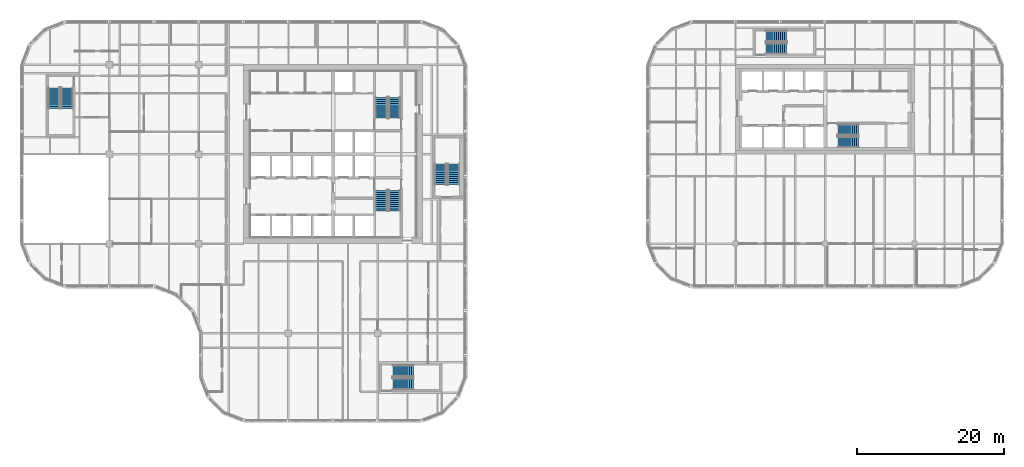
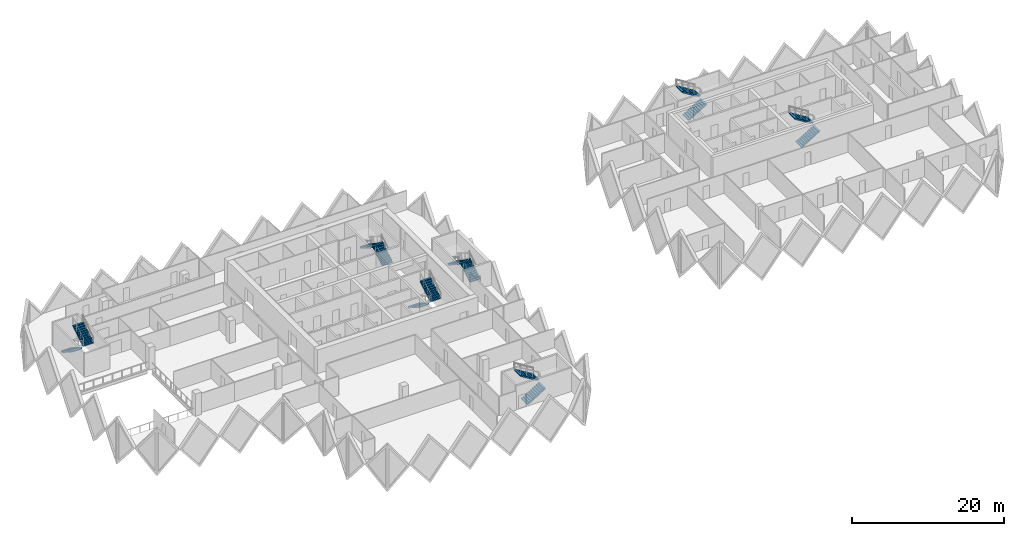
# One storey, part 17 of 19: 14 stair flights, 7 elements without a shape of their own.
"""IFC4 building model written with IfcOpenShell, lengths in metres."""

from ifc_helpers import new_model, si_unit, direction, frame, origin, place, context, subcontext, project, spatial, polyline, outline, extrude, material, type_object, element, aggregate, save


model = new_model("IFC4")

# Units and contexts
model_context = context("Model", 3, precision=1e-05, world=origin(), true_north=direction((0.0, 1.0)))
body_context = subcontext(model_context, "Body", "Model", "MODEL_VIEW")
ifc_project = project(units=[si_unit("LENGTHUNIT", "METRE"), si_unit("AREAUNIT", "SQUARE_METRE"), si_unit("VOLUMEUNIT", "CUBIC_METRE"), si_unit("PLANEANGLEUNIT", "RADIAN"), si_unit("MASSUNIT", "GRAM", prefix="KILO")], contexts=[model_context])

# Site, building, storey
site_placement = place(None, origin())
site = spatial("IfcSite", under=ifc_project, at=site_placement, CompositionType="ELEMENT")
building_placement = place(site_placement, origin())
building = spatial("IfcBuilding", under=site, at=building_placement, Name="Tessera Gate Towers", CompositionType="ELEMENT")
storey_placement = place(building_placement, frame((0.0, 0.0, 87.60009765625)))
storey = spatial("IfcBuildingStorey", under=building, at=storey_placement, Name="L21", CompositionType="ELEMENT", Elevation=87.60009765625)

# Stair, stair flights
ifc_material_1 = material(Name="Concrete C40/50", Category="concrete")
stair_type_1 = type_object("IfcStairType", Name="EXIT STAIR ST1 1600", PredefinedType="HALF_TURN_STAIR", material=ifc_material_1)
stair_1_placement = place(storey_placement, origin())
stair_1 = element("IfcStair", 1, at=stair_1_placement, inside=storey, type_object=stair_type_1, Name="L21 Protected Exit Stair ST1", PredefinedType="HALF_TURN_STAIR")
ifc_material_2 = material(Name="Concrete C40/50", Category="concrete")
stair_flight_type_1 = type_object("IfcStairFlightType", Name="EXIT STAIR FLIGHT ST1 1600", PredefinedType="STRAIGHT", material=ifc_material_2)
stair_flight_1_placement = place(storey_placement, frame((49.27490234375, 31.675048828125, 0.0), z_axis=(0.0, 0.0, 1.0), x_axis=(0.0, -1.0, 0.0)))
stair_flight_1 = element("IfcStairFlight", 2, at=stair_flight_1_placement, type_object=stair_flight_type_1, Name="ST1 flight 1", NumberOfRisers=11, NumberOfTreads=10, PredefinedType="STRAIGHT", RiserHeight=0.172727273, TreadLength=0.28, context=body_context, shape_type="SweptSolid", body=[
    extrude(outline(polyline([(0.0, 0.0), (0.0, 0.172607421875), (0.280029296875, 0.172607421875), (0.280029296875, 0.345458984375), (0.56005859375, 0.345458984375), (0.56005859375, 0.51806640625), (0.840087890625, 0.51806640625), (0.840087890625, 0.69091796875), (1.1201171875, 0.69091796875), (1.1201171875, 0.863525390625), (1.39990234375, 0.863525390625), (1.39990234375, 1.036376953125), (1.679931640625, 1.036376953125), (1.679931640625, 1.208984375), (1.9599609375, 1.208984375), (1.9599609375, 1.3818359375), (2.239990234375, 1.3818359375), (2.239990234375, 1.554443359375), (2.52001953125, 1.554443359375), (2.52001953125, 1.727294921875), (2.800048828125, 1.727294921875), (2.800048828125, 1.89990234375), (2.800048828125, 1.551025390625), (0.285400390625, 0.0), (0.0, 0.0)])), frame((0.0, 0.800048828125, 0.0), z_axis=(0.0, -1.0, 0.0), x_axis=(1.0, 0.0, 0.0)), (0.0, 0.0, 1.0), 1.60009765625),
])
stair_flight_2_placement = place(storey_placement, frame((51.074951171875, 28.875, 1.89990234375), z_axis=(0.0, 0.0, 1.0), x_axis=(0.0, 1.0, 0.0)))
stair_flight_2 = element("IfcStairFlight", 3, at=stair_flight_2_placement, type_object=stair_flight_type_1, Name="ST1 flight 2", NumberOfRisers=11, NumberOfTreads=10, PredefinedType="STRAIGHT", RiserHeight=0.172727273, TreadLength=0.28, context=body_context, shape_type="SweptSolid", body=[
    extrude(outline(polyline([(0.0, 0.0), (0.0, 0.172607421875), (0.280029296875, 0.172607421875), (0.280029296875, 0.345458984375), (0.56005859375, 0.345458984375), (0.56005859375, 0.51806640625), (0.840087890625, 0.51806640625), (0.840087890625, 0.69091796875), (1.1201171875, 0.69091796875), (1.1201171875, 0.863525390625), (1.39990234375, 0.863525390625), (1.39990234375, 1.036376953125), (1.679931640625, 1.036376953125), (1.679931640625, 1.208984375), (1.9599609375, 1.208984375), (1.9599609375, 1.3818359375), (2.239990234375, 1.3818359375), (2.239990234375, 1.554443359375), (2.52001953125, 1.554443359375), (2.52001953125, 1.727294921875), (2.800048828125, 1.727294921875), (2.800048828125, 1.89990234375), (2.800048828125, 1.551025390625), (0.285400390625, 0.0), (0.0, 0.0)])), frame((0.0, 0.800048828125, 0.0), z_axis=(0.0, -1.0, 0.0), x_axis=(1.0, 0.0, 0.0)), (0.0, 0.0, 1.0), 1.60009765625),
])
aggregate(stair_1, [stair_flight_1, stair_flight_2])

ifc_material_3 = material(Name="Concrete C40/50", Category="concrete")
stair_type_2 = type_object("IfcStairType", Name="EXIT STAIR ST2 1600", PredefinedType="HALF_TURN_STAIR", material=ifc_material_3)
stair_2_placement = place(storey_placement, origin())
stair_2 = element("IfcStair", 4, at=stair_2_placement, inside=storey, type_object=stair_type_2, Name="L21 Protected Exit Stair ST2", PredefinedType="HALF_TURN_STAIR")
ifc_material_4 = material(Name="Concrete C40/50", Category="concrete")
stair_flight_type_2 = type_object("IfcStairFlightType", Name="EXIT STAIR FLIGHT ST2 1600", PredefinedType="STRAIGHT", material=ifc_material_4)
stair_flight_3_placement = place(storey_placement, frame((51.074951171875, 41.52490234375, 0.0), z_axis=(0.0, 0.0, 1.0), x_axis=(0.0, 1.0, 0.0)))
stair_flight_3 = element("IfcStairFlight", 5, at=stair_flight_3_placement, type_object=stair_flight_type_2, Name="ST2 flight 1", NumberOfRisers=11, NumberOfTreads=10, PredefinedType="STRAIGHT", RiserHeight=0.172727273, TreadLength=0.28, context=body_context, shape_type="SweptSolid", body=[
    extrude(outline(polyline([(0.0, 0.0), (0.0, 0.172607421875), (0.280029296875, 0.172607421875), (0.280029296875, 0.345458984375), (0.56005859375, 0.345458984375), (0.56005859375, 0.51806640625), (0.840087890625, 0.51806640625), (0.840087890625, 0.69091796875), (1.1201171875, 0.69091796875), (1.1201171875, 0.863525390625), (1.39990234375, 0.863525390625), (1.39990234375, 1.036376953125), (1.679931640625, 1.036376953125), (1.679931640625, 1.208984375), (1.9599609375, 1.208984375), (1.9599609375, 1.3818359375), (2.239990234375, 1.3818359375), (2.239990234375, 1.554443359375), (2.52001953125, 1.554443359375), (2.52001953125, 1.727294921875), (2.800048828125, 1.727294921875), (2.800048828125, 1.89990234375), (2.800048828125, 1.551025390625), (0.285400390625, 0.0), (0.0, 0.0)])), frame((0.0, 0.800048828125, 0.0), z_axis=(0.0, -1.0, 0.0), x_axis=(1.0, 0.0, 0.0)), (0.0, 0.0, 1.0), 1.60009765625),
])
stair_flight_4_placement = place(storey_placement, frame((49.27490234375, 44.324951171875, 1.89990234375), z_axis=(0.0, 0.0, 1.0), x_axis=(0.0, -1.0, 0.0)))
stair_flight_4 = element("IfcStairFlight", 6, at=stair_flight_4_placement, type_object=stair_flight_type_2, Name="ST2 flight 2", NumberOfRisers=11, NumberOfTreads=10, PredefinedType="STRAIGHT", RiserHeight=0.172727273, TreadLength=0.28, context=body_context, shape_type="SweptSolid", body=[
    extrude(outline(polyline([(0.0, 0.0), (0.0, 0.172607421875), (0.280029296875, 0.172607421875), (0.280029296875, 0.345458984375), (0.56005859375, 0.345458984375), (0.56005859375, 0.51806640625), (0.840087890625, 0.51806640625), (0.840087890625, 0.69091796875), (1.1201171875, 0.69091796875), (1.1201171875, 0.863525390625), (1.39990234375, 0.863525390625), (1.39990234375, 1.036376953125), (1.679931640625, 1.036376953125), (1.679931640625, 1.208984375), (1.9599609375, 1.208984375), (1.9599609375, 1.3818359375), (2.239990234375, 1.3818359375), (2.239990234375, 1.554443359375), (2.52001953125, 1.554443359375), (2.52001953125, 1.727294921875), (2.800048828125, 1.727294921875), (2.800048828125, 1.89990234375), (2.800048828125, 1.551025390625), (0.285400390625, 0.0), (0.0, 0.0)])), frame((0.0, 0.800048828125, 0.0), z_axis=(0.0, -1.0, 0.0), x_axis=(1.0, 0.0, 0.0)), (0.0, 0.0, 1.0), 1.60009765625),
])
aggregate(stair_2, [stair_flight_3, stair_flight_4])

ifc_material_5 = material(Name="Concrete C40/50", Category="concrete")
stair_type_3 = type_object("IfcStairType", Name="EXIT STAIR ST3 1600", PredefinedType="HALF_TURN_STAIR", material=ifc_material_5)
stair_3_placement = place(storey_placement, origin())
stair_3 = element("IfcStair", 7, at=stair_3_placement, inside=storey, type_object=stair_type_3, Name="L21 West Exit Stair ST3", PredefinedType="HALF_TURN_STAIR")
ifc_material_6 = material(Name="Concrete C40/50", Category="concrete")
stair_flight_type_3 = type_object("IfcStairFlightType", Name="EXIT STAIR FLIGHT ST3 1600", PredefinedType="STRAIGHT", material=ifc_material_6)
stair_flight_5_placement = place(storey_placement, frame((4.64990234375, 45.64990234375, 0.0), z_axis=(0.0, 0.0, 1.0), x_axis=(0.0, -1.0, 0.0)))
stair_flight_5 = element("IfcStairFlight", 8, at=stair_flight_5_placement, type_object=stair_flight_type_3, Name="ST3 flight 1", NumberOfRisers=11, NumberOfTreads=10, PredefinedType="STRAIGHT", RiserHeight=0.172727273, TreadLength=0.28, context=body_context, shape_type="SweptSolid", body=[
    extrude(outline(polyline([(0.0, 0.0), (0.0, 0.172607421875), (0.280029296875, 0.172607421875), (0.280029296875, 0.345458984375), (0.56005859375, 0.345458984375), (0.56005859375, 0.51806640625), (0.840087890625, 0.51806640625), (0.840087890625, 0.69091796875), (1.1201171875, 0.69091796875), (1.1201171875, 0.863525390625), (1.39990234375, 0.863525390625), (1.39990234375, 1.036376953125), (1.679931640625, 1.036376953125), (1.679931640625, 1.208984375), (1.9599609375, 1.208984375), (1.9599609375, 1.3818359375), (2.239990234375, 1.3818359375), (2.239990234375, 1.554443359375), (2.52001953125, 1.554443359375), (2.52001953125, 1.727294921875), (2.800048828125, 1.727294921875), (2.800048828125, 1.89990234375), (2.800048828125, 1.551025390625), (0.285400390625, 0.0), (0.0, 0.0)])), frame((0.0, 0.800048828125, 0.0), z_axis=(0.0, -1.0, 0.0), x_axis=(1.0, 0.0, 0.0)), (0.0, 0.0, 1.0), 1.60009765625),
])
stair_flight_6_placement = place(storey_placement, frame((6.449951171875, 42.85009765625, 1.89990234375), z_axis=(0.0, 0.0, 1.0), x_axis=(0.0, 1.0, 0.0)))
stair_flight_6 = element("IfcStairFlight", 9, at=stair_flight_6_placement, type_object=stair_flight_type_3, Name="ST3 flight 2", NumberOfRisers=11, NumberOfTreads=10, PredefinedType="STRAIGHT", RiserHeight=0.172727273, TreadLength=0.28, context=body_context, shape_type="SweptSolid", body=[
    extrude(outline(polyline([(0.0, 0.0), (0.0, 0.172607421875), (0.280029296875, 0.172607421875), (0.280029296875, 0.345458984375), (0.56005859375, 0.345458984375), (0.56005859375, 0.51806640625), (0.840087890625, 0.51806640625), (0.840087890625, 0.69091796875), (1.1201171875, 0.69091796875), (1.1201171875, 0.863525390625), (1.39990234375, 0.863525390625), (1.39990234375, 1.036376953125), (1.679931640625, 1.036376953125), (1.679931640625, 1.208984375), (1.9599609375, 1.208984375), (1.9599609375, 1.3818359375), (2.239990234375, 1.3818359375), (2.239990234375, 1.554443359375), (2.52001953125, 1.554443359375), (2.52001953125, 1.727294921875), (2.800048828125, 1.727294921875), (2.800048828125, 1.89990234375), (2.800048828125, 1.551025390625), (0.285400390625, 0.0), (0.0, 0.0)])), frame((0.0, 0.800048828125, 0.0), z_axis=(0.0, -1.0, 0.0), x_axis=(1.0, 0.0, 0.0)), (0.0, 0.0, 1.0), 1.60009765625),
])
aggregate(stair_3, [stair_flight_5, stair_flight_6])

ifc_material_7 = material(Name="Concrete C40/50", Category="concrete")
stair_type_4 = type_object("IfcStairType", Name="EXIT STAIR ST4 1600", PredefinedType="HALF_TURN_STAIR", material=ifc_material_7)
stair_4_placement = place(storey_placement, origin())
stair_4 = element("IfcStair", 10, at=stair_4_placement, inside=storey, type_object=stair_type_4, Name="L21 South Exit Stair ST4", PredefinedType="HALF_TURN_STAIR")
ifc_material_8 = material(Name="Concrete C40/50", Category="concrete")
stair_flight_type_4 = type_object("IfcStairFlightType", Name="EXIT STAIR FLIGHT ST4 1600", PredefinedType="STRAIGHT", material=ifc_material_8)
stair_flight_7_placement = place(storey_placement, frame((50.85009765625, 5.25, 0.0), z_axis=(0.0, 0.0, 1.0), x_axis=(1.0, 0.0, 0.0)))
stair_flight_7 = element("IfcStairFlight", 11, at=stair_flight_7_placement, type_object=stair_flight_type_4, Name="ST4 flight 1", NumberOfRisers=11, NumberOfTreads=10, PredefinedType="STRAIGHT", RiserHeight=0.172727273, TreadLength=0.28, context=body_context, shape_type="SweptSolid", body=[
    extrude(outline(polyline([(0.0, 0.0), (0.0, 0.172607421875), (0.280029296875, 0.172607421875), (0.280029296875, 0.345458984375), (0.56005859375, 0.345458984375), (0.56005859375, 0.51806640625), (0.840087890625, 0.51806640625), (0.840087890625, 0.69091796875), (1.1201171875, 0.69091796875), (1.1201171875, 0.863525390625), (1.39990234375, 0.863525390625), (1.39990234375, 1.036376953125), (1.679931640625, 1.036376953125), (1.679931640625, 1.208984375), (1.9599609375, 1.208984375), (1.9599609375, 1.3818359375), (2.239990234375, 1.3818359375), (2.239990234375, 1.554443359375), (2.52001953125, 1.554443359375), (2.52001953125, 1.727294921875), (2.800048828125, 1.727294921875), (2.800048828125, 1.89990234375), (2.800048828125, 1.551025390625), (0.285400390625, 0.0), (0.0, 0.0)])), frame((0.0, 0.800048828125, 0.0), z_axis=(0.0, -1.0, 0.0), x_axis=(1.0, 0.0, 0.0)), (0.0, 0.0, 1.0), 1.60009765625),
])
stair_flight_8_placement = place(storey_placement, frame((53.64990234375, 7.050048828125, 1.89990234375), z_axis=(0.0, 0.0, 1.0), x_axis=(-1.0, 0.0, 0.0)))
stair_flight_8 = element("IfcStairFlight", 12, at=stair_flight_8_placement, type_object=stair_flight_type_4, Name="ST4 flight 2", NumberOfRisers=11, NumberOfTreads=10, PredefinedType="STRAIGHT", RiserHeight=0.172727273, TreadLength=0.28, context=body_context, shape_type="SweptSolid", body=[
    extrude(outline(polyline([(0.0, 0.0), (0.0, 0.172607421875), (0.280029296875, 0.172607421875), (0.280029296875, 0.345458984375), (0.56005859375, 0.345458984375), (0.56005859375, 0.51806640625), (0.840087890625, 0.51806640625), (0.840087890625, 0.69091796875), (1.1201171875, 0.69091796875), (1.1201171875, 0.863525390625), (1.39990234375, 0.863525390625), (1.39990234375, 1.036376953125), (1.679931640625, 1.036376953125), (1.679931640625, 1.208984375), (1.9599609375, 1.208984375), (1.9599609375, 1.3818359375), (2.239990234375, 1.3818359375), (2.239990234375, 1.554443359375), (2.52001953125, 1.554443359375), (2.52001953125, 1.727294921875), (2.800048828125, 1.727294921875), (2.800048828125, 1.89990234375), (2.800048828125, 1.551025390625), (0.285400390625, 0.0), (0.0, 0.0)])), frame((0.0, 0.800048828125, 0.0), z_axis=(0.0, -1.0, 0.0), x_axis=(1.0, 0.0, 0.0)), (0.0, 0.0, 1.0), 1.60009765625),
])
aggregate(stair_4, [stair_flight_7, stair_flight_8])

ifc_material_9 = material(Name="Concrete C40/50", Category="concrete")
stair_type_5 = type_object("IfcStairType", Name="EXIT STAIR ST5 1600", PredefinedType="HALF_TURN_STAIR", material=ifc_material_9)
stair_5_placement = place(storey_placement, origin())
stair_5 = element("IfcStair", 13, at=stair_5_placement, inside=storey, type_object=stair_type_5, Name="L21 East Exit Stair ST5", PredefinedType="HALF_TURN_STAIR")
ifc_material_10 = material(Name="Concrete C40/50", Category="concrete")
stair_flight_type_5 = type_object("IfcStairFlightType", Name="EXIT STAIR FLIGHT ST5 1600", PredefinedType="STRAIGHT", material=ifc_material_10)
stair_flight_9_placement = place(storey_placement, frame((59.14990234375, 32.449951171875, 0.0), z_axis=(0.0, 0.0, 1.0), x_axis=(0.0, 1.0, 0.0)))
stair_flight_9 = element("IfcStairFlight", 14, at=stair_flight_9_placement, type_object=stair_flight_type_5, Name="ST5 flight 1", NumberOfRisers=11, NumberOfTreads=10, PredefinedType="STRAIGHT", RiserHeight=0.172727273, TreadLength=0.28, context=body_context, shape_type="SweptSolid", body=[
    extrude(outline(polyline([(0.0, 0.0), (0.0, 0.172607421875), (0.280029296875, 0.172607421875), (0.280029296875, 0.345458984375), (0.56005859375, 0.345458984375), (0.56005859375, 0.51806640625), (0.840087890625, 0.51806640625), (0.840087890625, 0.69091796875), (1.1201171875, 0.69091796875), (1.1201171875, 0.863525390625), (1.39990234375, 0.863525390625), (1.39990234375, 1.036376953125), (1.679931640625, 1.036376953125), (1.679931640625, 1.208984375), (1.9599609375, 1.208984375), (1.9599609375, 1.3818359375), (2.239990234375, 1.3818359375), (2.239990234375, 1.554443359375), (2.52001953125, 1.554443359375), (2.52001953125, 1.727294921875), (2.800048828125, 1.727294921875), (2.800048828125, 1.89990234375), (2.800048828125, 1.551025390625), (0.285400390625, 0.0), (0.0, 0.0)])), frame((0.0, 0.800048828125, 0.0), z_axis=(0.0, -1.0, 0.0), x_axis=(1.0, 0.0, 0.0)), (0.0, 0.0, 1.0), 1.60009765625),
])
stair_flight_10_placement = place(storey_placement, frame((57.35009765625, 35.25, 1.89990234375), z_axis=(0.0, 0.0, 1.0), x_axis=(0.0, -1.0, 0.0)))
stair_flight_10 = element("IfcStairFlight", 15, at=stair_flight_10_placement, type_object=stair_flight_type_5, Name="ST5 flight 2", NumberOfRisers=11, NumberOfTreads=10, PredefinedType="STRAIGHT", RiserHeight=0.172727273, TreadLength=0.28, context=body_context, shape_type="SweptSolid", body=[
    extrude(outline(polyline([(0.0, 0.0), (0.0, 0.172607421875), (0.280029296875, 0.172607421875), (0.280029296875, 0.345458984375), (0.56005859375, 0.345458984375), (0.56005859375, 0.51806640625), (0.840087890625, 0.51806640625), (0.840087890625, 0.69091796875), (1.1201171875, 0.69091796875), (1.1201171875, 0.863525390625), (1.39990234375, 0.863525390625), (1.39990234375, 1.036376953125), (1.679931640625, 1.036376953125), (1.679931640625, 1.208984375), (1.9599609375, 1.208984375), (1.9599609375, 1.3818359375), (2.239990234375, 1.3818359375), (2.239990234375, 1.554443359375), (2.52001953125, 1.554443359375), (2.52001953125, 1.727294921875), (2.800048828125, 1.727294921875), (2.800048828125, 1.89990234375), (2.800048828125, 1.551025390625), (0.285400390625, 0.0), (0.0, 0.0)])), frame((0.0, 0.800048828125, 0.0), z_axis=(0.0, -1.0, 0.0), x_axis=(1.0, 0.0, 0.0)), (0.0, 0.0, 1.0), 1.60009765625),
])
aggregate(stair_5, [stair_flight_9, stair_flight_10])

ifc_material_11 = material(Name="Concrete C40/50", Category="concrete")
stair_type_6 = type_object("IfcStairType", Name="EXIT STAIR ST6 1500", PredefinedType="HALF_TURN_STAIR", material=ifc_material_11)
stair_6_placement = place(storey_placement, origin())
stair_6 = element("IfcStair", 16, at=stair_6_placement, inside=storey, type_object=stair_type_6, Name="L21 Protected Exit Stair ST6", PredefinedType="HALF_TURN_STAIR")
ifc_material_12 = material(Name="Concrete C40/50", Category="concrete")
stair_flight_type_6 = type_object("IfcStairFlightType", Name="EXIT STAIR FLIGHT ST6 1500", PredefinedType="STRAIGHT", material=ifc_material_12)
stair_flight_11_placement = place(storey_placement, frame((111.550048828125, 38.25, 0.0), z_axis=(0.0, 0.0, 1.0), x_axis=(1.0, 0.0, 0.0)))
stair_flight_11 = element("IfcStairFlight", 17, at=stair_flight_11_placement, type_object=stair_flight_type_6, Name="ST6 flight 1", NumberOfRisers=11, NumberOfTreads=10, PredefinedType="STRAIGHT", RiserHeight=0.172727273, TreadLength=0.28, context=body_context, shape_type="SweptSolid", body=[
    extrude(outline(polyline([(0.0, 0.0), (0.0, 0.172607421875), (0.280029296875, 0.172607421875), (0.280029296875, 0.345458984375), (0.56005859375, 0.345458984375), (0.56005859375, 0.51806640625), (0.840087890625, 0.51806640625), (0.840087890625, 0.69091796875), (1.1201171875, 0.69091796875), (1.1201171875, 0.863525390625), (1.39990234375, 0.863525390625), (1.39990234375, 1.036376953125), (1.679931640625, 1.036376953125), (1.679931640625, 1.208984375), (1.9599609375, 1.208984375), (1.9599609375, 1.3818359375), (2.239990234375, 1.3818359375), (2.239990234375, 1.554443359375), (2.52001953125, 1.554443359375), (2.52001953125, 1.727294921875), (2.800048828125, 1.727294921875), (2.800048828125, 1.89990234375), (2.800048828125, 1.551025390625), (0.285400390625, 0.0), (0.0, 0.0)])), frame((0.0, 0.75, 0.0), z_axis=(0.0, -1.0, 0.0), x_axis=(1.0, 0.0, 0.0)), (0.0, 0.0, 1.0), 1.5),
])
stair_flight_12_placement = place(storey_placement, frame((114.35009765625, 39.949951171875, 1.89990234375), z_axis=(0.0, 0.0, 1.0), x_axis=(-1.0, 0.0, 0.0)))
stair_flight_12 = element("IfcStairFlight", 18, at=stair_flight_12_placement, type_object=stair_flight_type_6, Name="ST6 flight 2", NumberOfRisers=11, NumberOfTreads=10, PredefinedType="STRAIGHT", RiserHeight=0.172727273, TreadLength=0.28, context=body_context, shape_type="SweptSolid", body=[
    extrude(outline(polyline([(0.0, 0.0), (0.0, 0.172607421875), (0.280029296875, 0.172607421875), (0.280029296875, 0.345458984375), (0.56005859375, 0.345458984375), (0.56005859375, 0.51806640625), (0.840087890625, 0.51806640625), (0.840087890625, 0.69091796875), (1.1201171875, 0.69091796875), (1.1201171875, 0.863525390625), (1.39990234375, 0.863525390625), (1.39990234375, 1.036376953125), (1.679931640625, 1.036376953125), (1.679931640625, 1.208984375), (1.9599609375, 1.208984375), (1.9599609375, 1.3818359375), (2.239990234375, 1.3818359375), (2.239990234375, 1.554443359375), (2.52001953125, 1.554443359375), (2.52001953125, 1.727294921875), (2.800048828125, 1.727294921875), (2.800048828125, 1.89990234375), (2.800048828125, 1.551025390625), (0.285400390625, 0.0), (0.0, 0.0)])), frame((0.0, 0.75, 0.0), z_axis=(0.0, -1.0, 0.0), x_axis=(1.0, 0.0, 0.0)), (0.0, 0.0, 1.0), 1.5),
])
aggregate(stair_6, [stair_flight_11, stair_flight_12])

ifc_material_13 = material(Name="Concrete C40/50", Category="concrete")
stair_type_7 = type_object("IfcStairType", Name="EXIT STAIR ST7 1500", PredefinedType="HALF_TURN_STAIR", material=ifc_material_13)
stair_7_placement = place(storey_placement, origin())
stair_7 = element("IfcStair", 19, at=stair_7_placement, inside=storey, type_object=stair_type_7, Name="L21 North Exit Stair ST7", PredefinedType="HALF_TURN_STAIR")
ifc_material_14 = material(Name="Concrete C40/50", Category="concrete")
stair_flight_type_7 = type_object("IfcStairFlightType", Name="EXIT STAIR FLIGHT ST7 1500", PredefinedType="STRAIGHT", material=ifc_material_14)
stair_flight_13_placement = place(storey_placement, frame((101.75, 51.0, 0.0), z_axis=(0.0, 0.0, 1.0), x_axis=(1.0, 0.0, 0.0)))
stair_flight_13 = element("IfcStairFlight", 20, at=stair_flight_13_placement, type_object=stair_flight_type_7, Name="ST7 flight 1", NumberOfRisers=11, NumberOfTreads=10, PredefinedType="STRAIGHT", RiserHeight=0.172727273, TreadLength=0.28, context=body_context, shape_type="SweptSolid", body=[
    extrude(outline(polyline([(0.0, 0.0), (0.0, 0.172607421875), (0.280029296875, 0.172607421875), (0.280029296875, 0.345458984375), (0.56005859375, 0.345458984375), (0.56005859375, 0.51806640625), (0.840087890625, 0.51806640625), (0.840087890625, 0.69091796875), (1.1201171875, 0.69091796875), (1.1201171875, 0.863525390625), (1.39990234375, 0.863525390625), (1.39990234375, 1.036376953125), (1.679931640625, 1.036376953125), (1.679931640625, 1.208984375), (1.9599609375, 1.208984375), (1.9599609375, 1.3818359375), (2.239990234375, 1.3818359375), (2.239990234375, 1.554443359375), (2.52001953125, 1.554443359375), (2.52001953125, 1.727294921875), (2.800048828125, 1.727294921875), (2.800048828125, 1.89990234375), (2.800048828125, 1.551025390625), (0.285400390625, 0.0), (0.0, 0.0)])), frame((0.0, 0.75, 0.0), z_axis=(0.0, -1.0, 0.0), x_axis=(1.0, 0.0, 0.0)), (0.0, 0.0, 1.0), 1.5),
])
stair_flight_14_placement = place(storey_placement, frame((104.550048828125, 52.699951171875, 1.89990234375), z_axis=(0.0, 0.0, 1.0), x_axis=(-1.0, 0.0, 0.0)))
stair_flight_14 = element("IfcStairFlight", 21, at=stair_flight_14_placement, type_object=stair_flight_type_7, Name="ST7 flight 2", NumberOfRisers=11, NumberOfTreads=10, PredefinedType="STRAIGHT", RiserHeight=0.172727273, TreadLength=0.28, context=body_context, shape_type="SweptSolid", body=[
    extrude(outline(polyline([(0.0, 0.0), (0.0, 0.172607421875), (0.280029296875, 0.172607421875), (0.280029296875, 0.345458984375), (0.56005859375, 0.345458984375), (0.56005859375, 0.51806640625), (0.840087890625, 0.51806640625), (0.840087890625, 0.69091796875), (1.1201171875, 0.69091796875), (1.1201171875, 0.863525390625), (1.39990234375, 0.863525390625), (1.39990234375, 1.036376953125), (1.679931640625, 1.036376953125), (1.679931640625, 1.208984375), (1.9599609375, 1.208984375), (1.9599609375, 1.3818359375), (2.239990234375, 1.3818359375), (2.239990234375, 1.554443359375), (2.52001953125, 1.554443359375), (2.52001953125, 1.727294921875), (2.800048828125, 1.727294921875), (2.800048828125, 1.89990234375), (2.800048828125, 1.551025390625), (0.285400390625, 0.0), (0.0, 0.0)])), frame((0.0, 0.75, 0.0), z_axis=(0.0, -1.0, 0.0), x_axis=(1.0, 0.0, 0.0)), (0.0, 0.0, 1.0), 1.5),
])
aggregate(stair_7, [stair_flight_13, stair_flight_14])

save(model, "model.ifc")
